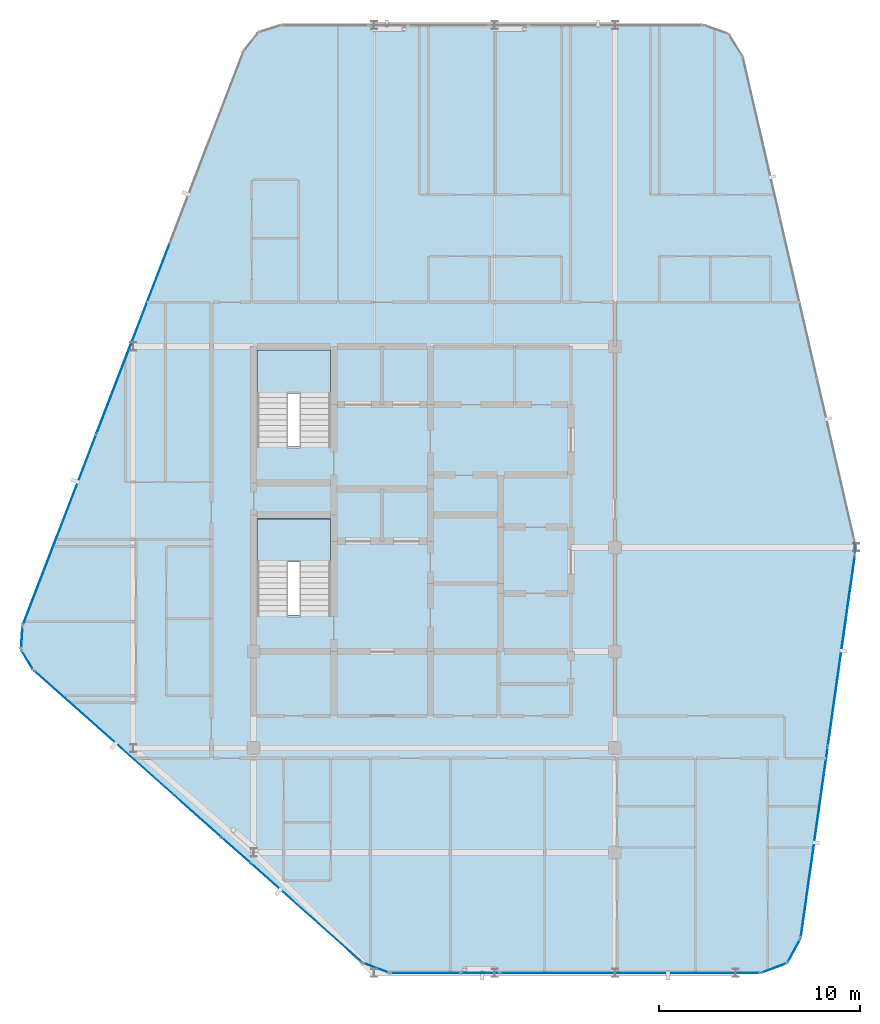
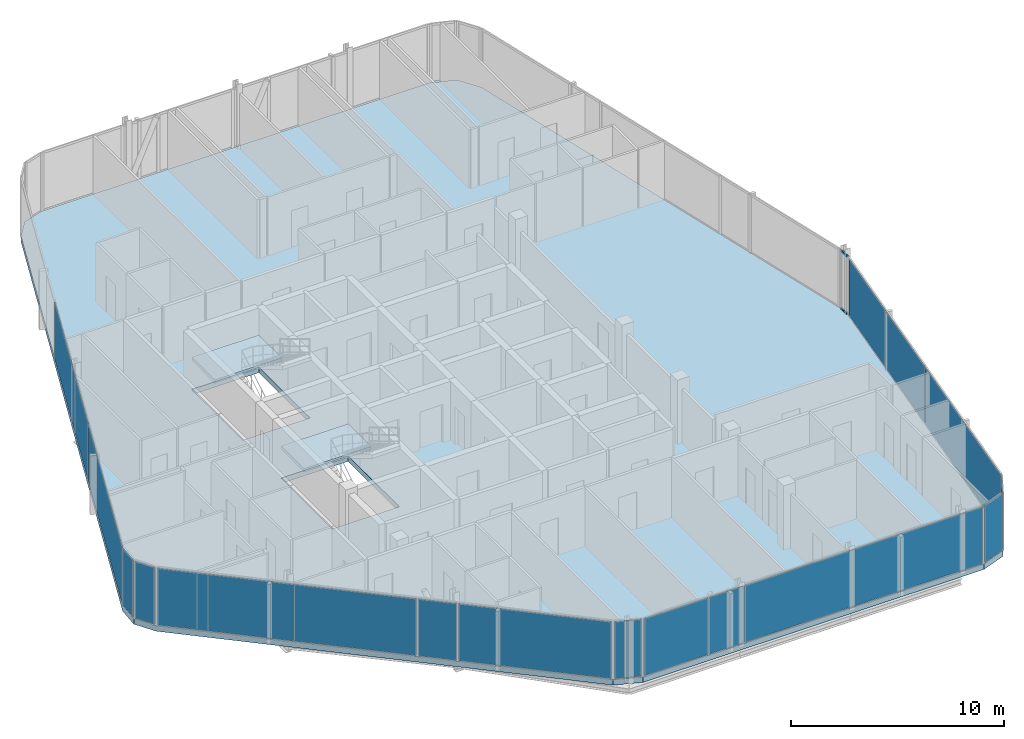
# One storey, part 20 of 27: 15 plates, 3 slabs, 2 members, 16 elements without a shape of their own.
"""IFC4 building model written with IfcOpenShell, lengths in metres."""

from ifc_helpers import new_model, si_unit, direction, frame, origin, origin_2d, place, context, subcontext, project, spatial, polyline, rectangle, hollow_rectangle, outline, extrude, material, layer, layer_set, material_profile, profile_set, type_object, element, aggregate, save


model = new_model("IFC4")

# Units and contexts
model_context = context("Model", 3, precision=1e-05, world=origin(), true_north=direction((0.0, 1.0)))
body_context = subcontext(model_context, "Body", "Model", "MODEL_VIEW")
ifc_project = project(units=[si_unit("LENGTHUNIT", "METRE"), si_unit("AREAUNIT", "SQUARE_METRE"), si_unit("VOLUMEUNIT", "CUBIC_METRE"), si_unit("PLANEANGLEUNIT", "RADIAN"), si_unit("MASSUNIT", "GRAM", prefix="KILO")], contexts=[model_context])

# Site, building, storey
site_placement = place(None, origin())
site = spatial("IfcSite", under=ifc_project, at=site_placement, CompositionType="ELEMENT")
building_placement = place(site_placement, origin())
building = spatial("IfcBuilding", under=site, at=building_placement, Name="Keshet Zoharim Tower", CompositionType="ELEMENT")
storey_placement = place(building_placement, frame((0.0, 0.0, 288.0)))
storey = spatial("IfcBuildingStorey", under=building, at=storey_placement, Name="L72", CompositionType="ELEMENT", Elevation=288.0)

# Curtain wall, members
ifc_material_1 = material(Name="Aluminium 6063-T6", Category="aluminium")
ifc_layer_1 = layer(ifc_material_1, 0.260009765625)
ifc_layer_set_1 = layer_set([ifc_layer_1], Name="Aluminium 6063-T6")
curtain_wall_type = type_object("IfcCurtainWallType", Name="CW-SYS-06", PredefinedType="NOTDEFINED", material=ifc_layer_set_1)
curtain_wall_1_placement = place(storey_placement, origin())
curtain_wall_1 = element("IfcCurtainWall", 1, at=curtain_wall_1_placement, inside=storey, type_object=curtain_wall_type, Name="L72 Unitised Curtain Wall 10", PredefinedType="NOTDEFINED")
ifc_material_profile = material_profile(ifc_material_1, hollow_rectangle(XDim=0.074951171875, YDim=0.1201171875, WallThickness=0.00390625, at=origin_2d()), Name="TRN-75x120")
ifc_profile_set = profile_set([ifc_material_profile], Name="Aluminium 6063-T6")
member_type = type_object("IfcMemberType", Name="CWT-T12", PredefinedType="USERDEFINED", material=ifc_profile_set)
member_1_placement = place(storey_placement, frame((44.9189453125, 28.192138671875, 0.034912109375), z_axis=(0.043813905352, -0.99903970977, 0.0), x_axis=(0.99903970977, 0.043813905352, 0.0)))
member_1 = element("IfcMember", 2, at=member_1_placement, type_object=member_type, Name="CW-06 transom 1.1", ObjectType="TRANSOM", PredefinedType="USERDEFINED", context=body_context, shape_type="SweptSolid", body=[
    extrude(hollow_rectangle(XDim=0.074951171875, YDim=0.1201171875, WallThickness=0.00390625, at=origin_2d()), origin(), (0.0, 0.0, 1.0), 0.590576171875),
])
member_2_placement = place(storey_placement, frame((44.9189453125, 28.192138671875, 3.35498046875), z_axis=(0.043813905352, -0.99903970977, 0.0), x_axis=(0.99903970977, 0.043813905352, 0.0)))
member_2 = element("IfcMember", 3, at=member_2_placement, type_object=member_type, Name="CW-06 transom 1.2", ObjectType="TRANSOM", PredefinedType="USERDEFINED", context=body_context, shape_type="SweptSolid", body=[
    extrude(hollow_rectangle(XDim=0.074951171875, YDim=0.1201171875, WallThickness=0.00390625, at=origin_2d()), origin(), (0.0, 0.0, 1.0), 0.590576171875),
])
aggregate(curtain_wall_1, [member_1, member_2])

# Curtain wall, plate
curtain_wall_2_placement = place(storey_placement, origin())
curtain_wall_2 = element("IfcCurtainWall", 4, at=curtain_wall_2_placement, inside=storey, type_object=curtain_wall_type, Name="L72 Unitised Curtain Wall 01", PredefinedType="NOTDEFINED")
ifc_material_2 = material(Name="Insulated Low-E Clear Glass", Category="glass")
ifc_layer_2 = layer(ifc_material_2, 0.028076171875)
ifc_layer_set_2 = layer_set([ifc_layer_2], Name="Insulated Low-E Clear Glass")
plate_type_1 = type_object("IfcPlateType", Name="CWP-03", PredefinedType="CURTAIN_PANEL", material=ifc_layer_set_2)
plate_1_placement = place(storey_placement, frame((3.7275390625, 22.291015625, 0.070068359375), z_axis=(0.0, 0.0, 1.0), x_axis=(-0.515604947933, 0.856826433805, 0.0)))
plate_1 = element("IfcPlate", 5, at=plate_1_placement, type_object=plate_type_1, Name="CW-06 panel 1.1", PredefinedType="CURTAIN_PANEL", context=body_context, shape_type="SweptSolid", body=[
    extrude(rectangle(XDim=1.052734375, YDim=0.028076171875, at=origin_2d()), origin(), (0.0, 0.0, 1.0), 3.25),
])
aggregate(curtain_wall_2, [plate_1])

curtain_wall_3_placement = place(storey_placement, origin())
curtain_wall_3 = element("IfcCurtainWall", 6, at=curtain_wall_3_placement, inside=storey, type_object=curtain_wall_type, Name="L72 Unitised Curtain Wall 02", PredefinedType="NOTDEFINED")
plate_2_placement = place(storey_placement, frame((3.45849609375, 23.3974609375, 0.070068359375), z_axis=(0.0, 0.0, 1.0), x_axis=(0.064516859374, 0.997916617186, 0.0)))
plate_2 = element("IfcPlate", 7, at=plate_2_placement, type_object=plate_type_1, Name="CW-06 panel 1.1", PredefinedType="CURTAIN_PANEL", context=body_context, shape_type="SweptSolid", body=[
    extrude(rectangle(XDim=1.053466796875, YDim=0.028076171875, at=origin_2d()), origin(), (0.0, 0.0, 1.0), 3.25),
])
aggregate(curtain_wall_3, [plate_2])

# Curtain wall, plates
curtain_wall_4_placement = place(storey_placement, origin())
curtain_wall_4 = element("IfcCurtainWall", 8, at=curtain_wall_4_placement, inside=storey, type_object=curtain_wall_type, Name="L72 Unitised Curtain Wall 03", PredefinedType="NOTDEFINED")
plate_3_placement = place(storey_placement, frame((5.33837890625, 28.7802734375, 0.070068359375), z_axis=(0.0, 0.0, 1.0), x_axis=(0.358990003907, 0.933341404361, 0.0)))
plate_3 = element("IfcPlate", 9, at=plate_3_placement, type_object=plate_type_1, Name="CW-06 panel 1.1", PredefinedType="CURTAIN_PANEL", context=body_context, shape_type="SweptSolid", body=[
    extrude(rectangle(XDim=10.1181640625, YDim=0.028076171875, at=origin_2d()), origin(), (0.0, 0.0, 1.0), 3.25),
])
plate_4_placement = place(storey_placement, frame((9.001953125, 38.305419921875, 0.070068359375), z_axis=(0.0, 0.0, 1.0), x_axis=(0.358990003907, 0.933341404361, 0.0)))
plate_4 = element("IfcPlate", 10, at=plate_4_placement, type_object=plate_type_1, Name="CW-06 panel 2.1", PredefinedType="CURTAIN_PANEL", context=body_context, shape_type="SweptSolid", body=[
    extrude(rectangle(XDim=10.153076171875, YDim=0.028076171875, at=origin_2d()), origin(), (0.0, 0.0, 1.0), 3.25),
])
aggregate(curtain_wall_4, [plate_3, plate_4])

curtain_wall_5_placement = place(storey_placement, origin())
curtain_wall_5 = element("IfcCurtainWall", 11, at=curtain_wall_5_placement, inside=storey, type_object=curtain_wall_type, Name="L72 Unitised Curtain Wall 11", PredefinedType="NOTDEFINED")
plate_5_placement = place(storey_placement, frame((44.269287109375, 22.736572265625, 0.070068359375), z_axis=(0.0, 0.0, 1.0), x_axis=(-0.140137464177, -0.990132057422, 0.0)))
plate_5 = element("IfcPlate", 12, at=plate_5_placement, type_object=plate_type_1, Name="CW-06 panel 1.1", PredefinedType="CURTAIN_PANEL", context=body_context, shape_type="SweptSolid", body=[
    extrude(rectangle(XDim=9.546142578125, YDim=0.028076171875, at=origin_2d()), origin(), (0.0, 0.0, 1.0), 3.25),
])
plate_6_placement = place(storey_placement, frame((42.921630859375, 13.21533203125, 0.070068359375), z_axis=(0.0, 0.0, 1.0), x_axis=(-0.140137464177, -0.990132057422, 0.0)))
plate_6 = element("IfcPlate", 13, at=plate_6_placement, type_object=plate_type_1, Name="CW-06 panel 2.1", PredefinedType="CURTAIN_PANEL", context=body_context, shape_type="SweptSolid", body=[
    extrude(rectangle(XDim=9.546142578125, YDim=0.028076171875, at=origin_2d()), origin(), (0.0, 0.0, 1.0), 3.25),
])
aggregate(curtain_wall_5, [plate_5, plate_6])

# Curtain wall, plate
curtain_wall_6_placement = place(storey_placement, origin())
curtain_wall_6 = element("IfcCurtainWall", 14, at=curtain_wall_6_placement, inside=storey, type_object=curtain_wall_type, Name="L72 Unitised Curtain Wall 12", PredefinedType="NOTDEFINED")
plate_7_placement = place(storey_placement, frame((41.908447265625, 7.804931640625, 0.070068359375), z_axis=(0.0, 0.0, 1.0), x_axis=(-0.477800955789, -0.878468125004, 0.0)))
plate_7 = element("IfcPlate", 15, at=plate_7_placement, type_object=plate_type_1, Name="CW-06 panel 1.1", PredefinedType="CURTAIN_PANEL", context=body_context, shape_type="SweptSolid", body=[
    extrude(rectangle(XDim=1.26025390625, YDim=0.028076171875, at=origin_2d()), origin(), (0.0, 0.0, 1.0), 3.25),
])
aggregate(curtain_wall_6, [plate_7])

curtain_wall_7_placement = place(storey_placement, origin())
curtain_wall_7 = element("IfcCurtainWall", 16, at=curtain_wall_7_placement, inside=storey, type_object=curtain_wall_type, Name="L72 Unitised Curtain Wall 13", PredefinedType="NOTDEFINED")
plate_8_placement = place(storey_placement, frame((40.91845703125, 6.945068359375, 0.070068359375), z_axis=(0.0, 0.0, 1.0), x_axis=(-0.936710343781, -0.350105315376, 0.0)))
plate_8 = element("IfcPlate", 17, at=plate_8_placement, type_object=plate_type_1, Name="CW-06 panel 1.1", PredefinedType="CURTAIN_PANEL", context=body_context, shape_type="SweptSolid", body=[
    extrude(rectangle(XDim=1.259521484375, YDim=0.028076171875, at=origin_2d()), origin(), (0.0, 0.0, 1.0), 3.25),
])
aggregate(curtain_wall_7, [plate_8])

curtain_wall_8_placement = place(storey_placement, origin())
curtain_wall_8 = element("IfcCurtainWall", 18, at=curtain_wall_8_placement, inside=storey, type_object=curtain_wall_type, Name="L72 Unitised Curtain Wall 14", PredefinedType="NOTDEFINED")
plate_9_placement = place(storey_placement, frame((33.743896484375, 6.699951171875, 0.070068359375), z_axis=(0.0, 0.0, 1.0), x_axis=(-1.0, 0.0, 0.0)))
plate_9 = element("IfcPlate", 19, at=plate_9_placement, type_object=plate_type_1, Name="CW-06 panel 1.1", PredefinedType="CURTAIN_PANEL", context=body_context, shape_type="SweptSolid", body=[
    extrude(rectangle(XDim=12.898193359375, YDim=0.028076171875, at=origin_2d()), origin(), (0.0, 0.0, 1.0), 3.25),
])
aggregate(curtain_wall_8, [plate_9])

curtain_wall_9_placement = place(storey_placement, origin())
curtain_wall_9 = element("IfcCurtainWall", 20, at=curtain_wall_9_placement, inside=storey, type_object=curtain_wall_type, Name="L72 Unitised Curtain Wall 14 Part 3", PredefinedType="NOTDEFINED")
plate_10_placement = place(storey_placement, frame((23.552490234375, 6.699951171875, 0.070068359375), z_axis=(0.0, 0.0, 1.0), x_axis=(-1.0, 0.0, 0.0)))
plate_10 = element("IfcPlate", 21, at=plate_10_placement, type_object=plate_type_1, Name="CW-06 panel 1.1", PredefinedType="CURTAIN_PANEL", context=body_context, shape_type="SweptSolid", body=[
    extrude(rectangle(XDim=3.4453125, YDim=0.028076171875, at=origin_2d()), origin(), (0.0, 0.0, 1.0), 3.25),
])
aggregate(curtain_wall_9, [plate_10])

curtain_wall_10_placement = place(storey_placement, origin())
curtain_wall_10 = element("IfcCurtainWall", 22, at=curtain_wall_10_placement, inside=storey, type_object=curtain_wall_type, Name="L72 Unitised Curtain Wall 15", PredefinedType="NOTDEFINED")
plate_11_placement = place(storey_placement, frame((21.095947265625, 6.952392578125, 0.070068359375), z_axis=(0.0, 0.0, 1.0), x_axis=(-0.934699418314, 0.355439161326, 0.0)))
plate_11 = element("IfcPlate", 23, at=plate_11_placement, type_object=plate_type_1, Name="CW-06 panel 1.1", PredefinedType="CURTAIN_PANEL", context=body_context, shape_type="SweptSolid", body=[
    extrude(rectangle(XDim=1.28076171875, YDim=0.028076171875, at=origin_2d()), origin(), (0.0, 0.0, 1.0), 3.25),
])
aggregate(curtain_wall_10, [plate_11])

curtain_wall_11_placement = place(storey_placement, origin())
curtain_wall_11 = element("IfcCurtainWall", 24, at=curtain_wall_11_placement, inside=storey, type_object=curtain_wall_type, Name="L72 Unitised Curtain Wall 16", PredefinedType="NOTDEFINED")
plate_12_placement = place(storey_placement, frame((17.634521484375, 9.691650390625, 0.070068359375), z_axis=(0.0, 0.0, 1.0), x_axis=(-0.747410792699, 0.664362180559, 0.0)))
plate_12 = element("IfcPlate", 25, at=plate_12_placement, type_object=plate_type_1, Name="CW-06 panel 1.1", PredefinedType="CURTAIN_PANEL", context=body_context, shape_type="SweptSolid", body=[
    extrude(rectangle(XDim=7.345947265625, YDim=0.028076171875, at=origin_2d()), origin(), (0.0, 0.0, 1.0), 3.25),
])
aggregate(curtain_wall_11, [plate_12])

curtain_wall_12_placement = place(storey_placement, origin())
curtain_wall_12 = element("IfcCurtainWall", 26, at=curtain_wall_12_placement, inside=storey, type_object=curtain_wall_type, Name="L72 Unitised Curtain Wall 16 Part 3", PredefinedType="NOTDEFINED")
plate_13_placement = place(storey_placement, frame((8.7333984375, 17.603515625, 0.070068359375), z_axis=(0.0, 0.0, 1.0), x_axis=(-0.747409318679, 0.664363838836, 0.0)))
plate_13 = element("IfcPlate", 27, at=plate_13_placement, type_object=plate_type_1, Name="CW-06 panel 1.1", PredefinedType="CURTAIN_PANEL", context=body_context, shape_type="SweptSolid", body=[
    extrude(rectangle(XDim=12.432861328125, YDim=0.028076171875, at=origin_2d()), origin(), (0.0, 0.0, 1.0), 3.25),
])
aggregate(curtain_wall_12, [plate_13])

curtain_wall_13_placement = place(storey_placement, origin())
curtain_wall_13 = element("IfcCurtainWall", 28, at=curtain_wall_13_placement, inside=storey, type_object=curtain_wall_type, Name="L72 Unitised Curtain Wall 14 Part 2", PredefinedType="NOTDEFINED")
ifc_material_3 = material(Name="Insulated Aluminium Spandrel Panel", Category="aluminium")
ifc_layer_3 = layer(ifc_material_3, 0.028076171875)
ifc_layer_set_3 = layer_set([ifc_layer_3], Name="Insulated Aluminium Spandrel Panel")
plate_type_2 = type_object("IfcPlateType", Name="CWP-06", PredefinedType="CURTAIN_PANEL", material=ifc_layer_set_3)
plate_14_placement = place(storey_placement, frame((26.284912109375, 6.699951171875, 0.070068359375), z_axis=(0.0, 0.0, 1.0), x_axis=(-1.0, 0.0, 0.0)))
plate_14 = element("IfcPlate", 29, at=plate_14_placement, type_object=plate_type_2, Name="CW-06 spandrel panel 1.1", PredefinedType="CURTAIN_PANEL", context=body_context, shape_type="SweptSolid", body=[
    extrude(rectangle(XDim=1.879638671875, YDim=0.028076171875, at=origin_2d()), origin(), (0.0, 0.0, 1.0), 3.25),
])
aggregate(curtain_wall_13, [plate_14])

curtain_wall_14_placement = place(storey_placement, origin())
curtain_wall_14 = element("IfcCurtainWall", 30, at=curtain_wall_14_placement, inside=storey, type_object=curtain_wall_type, Name="L72 Unitised Curtain Wall 16 Part 2", PredefinedType="NOTDEFINED")
plate_15_placement = place(storey_placement, frame((14.134521484375, 12.802734375, 0.070068359375), z_axis=(0.0, 0.0, 1.0), x_axis=(-0.747431957629, 0.664338369143, 0.0)))
plate_15 = element("IfcPlate", 31, at=plate_15_placement, type_object=plate_type_2, Name="CW-06 spandrel panel 1.1", PredefinedType="CURTAIN_PANEL", context=body_context, shape_type="SweptSolid", body=[
    extrude(rectangle(XDim=1.879638671875, YDim=0.028076171875, at=origin_2d()), origin(), (0.0, 0.0, 1.0), 3.25),
])
aggregate(curtain_wall_14, [plate_15])

# Stair, slab
ifc_material_4 = material(Name="Concrete C50/60", Category="concrete")
stair_type = type_object("IfcStairType", Name="STR-EXIT-135", PredefinedType="HALF_TURN_STAIR", material=ifc_material_4)
stair_1_placement = place(storey_placement, origin())
stair_1 = element("IfcStair", 32, at=stair_1_placement, inside=storey, type_object=stair_type, Name="L72 Enclosed Exit Stair ST-01", PredefinedType="HALF_TURN_STAIR")
ifc_layer_4 = layer(ifc_material_4, 0.199951171875)
ifc_layer_set_4 = layer_set([ifc_layer_4], Name="Concrete C50/60")
slab_type_1 = type_object("IfcSlabType", Name="SLB-LND-200", PredefinedType="LANDING", material=ifc_layer_set_4)
slab_1_placement = place(storey_placement, frame((0.0, 0.0, 1.64990234375)))
slab_1 = element("IfcSlab", 33, at=slab_1_placement, type_object=slab_type_1, Name="ST-01 landing 1", PredefinedType="LANDING", context=body_context, shape_type="SweptSolid", body=[
    extrude(outline(polyline([(15.179931640625, 27.159912109375), (18.820068359375, 27.159912109375), (18.820068359375, 29.320068359375), (15.179931640625, 29.320068359375), (15.179931640625, 27.159912109375)])), origin(), (0.0, 0.0, 1.0), 0.2001953125),
])
aggregate(stair_1, [slab_1])

stair_2_placement = place(storey_placement, origin())
stair_2 = element("IfcStair", 34, at=stair_2_placement, inside=storey, type_object=stair_type, Name="L72 Enclosed Exit Stair ST-02", PredefinedType="HALF_TURN_STAIR")
slab_2_placement = place(storey_placement, frame((0.0, 0.0, 1.64990234375)))
slab_2 = element("IfcSlab", 35, at=slab_2_placement, type_object=slab_type_1, Name="ST-02 landing 1", PredefinedType="LANDING", context=body_context, shape_type="SweptSolid", body=[
    extrude(outline(polyline([(15.179931640625, 35.56005859375), (18.820068359375, 35.56005859375), (18.820068359375, 37.719970703125), (15.179931640625, 37.719970703125), (15.179931640625, 35.56005859375)])), origin(), (0.0, 0.0, 1.0), 0.2001953125),
])
aggregate(stair_2, [slab_2])

# Slab
ifc_layer_5 = layer(ifc_material_4, 0.31005859375)
ifc_layer_set_5 = layer_set([ifc_layer_5], Name="Concrete C50/60")
slab_type_2 = type_object("IfcSlabType", Name="SLB-UPP-240", PredefinedType="FLOOR", material=ifc_layer_set_5)
slab_3_placement = place(storey_placement, frame((0.0, 0.0, -0.31005859375)))
element("IfcSlab", 36, at=slab_3_placement, inside=storey, type_object=slab_type_2, Name="L72 Structural Floor Slab 1", PredefinedType="FLOOR", context=body_context, shape_type="SweptSolid", body=[
    extrude(outline(polyline([(4.034912109375, 21.780029296875), (3.419921875, 22.802001953125), (3.4970703125, 23.992919921875), (14.507080078125, 52.617919921875), (15.240966796875, 53.549072265625), (16.3740234375, 53.89990234375), (37.408935546875, 53.89990234375), (38.654052734375, 53.465087890625), (39.35791015625, 52.35009765625), (44.916015625, 28.261962890625), (44.947998046875, 27.531982421875), (42.242919921875, 8.419921875), (41.573974609375, 7.18994140625), (40.262939453125, 6.699951171875), (21.760009765625, 6.699951171875), (20.431884765625, 7.205078125), (4.034912109375, 21.780029296875)]), holes=[polyline([(15.179931640625, 24.52001953125), (18.820068359375, 24.52001953125), (18.820068359375, 29.320068359375), (15.179931640625, 29.320068359375), (15.179931640625, 24.52001953125)]), polyline([(15.179931640625, 32.919921875), (18.820068359375, 32.919921875), (18.820068359375, 37.719970703125), (15.179931640625, 37.719970703125), (15.179931640625, 32.919921875)])]), origin(), (0.0, 0.0, 1.0), 0.31005859375),
])

save(model, "model.ifc")
